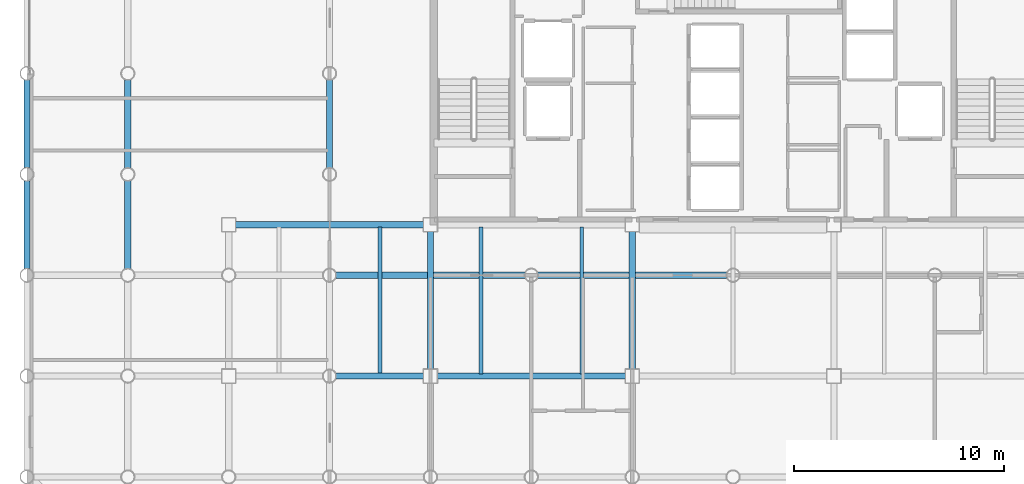
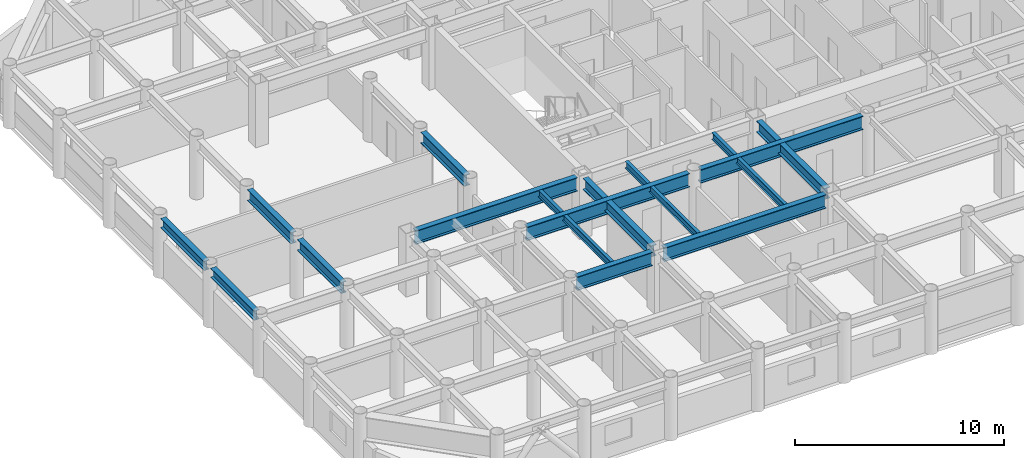
# One storey, part 3 of 20: 15 beams.
"""IFC4 building model written with IfcOpenShell, lengths in metres."""

from ifc_helpers import new_model, si_unit, direction, frame, origin, origin_2d, place, context, subcontext, project, spatial, i_section, extrude, material, material_profile, profile_set, type_object, element, save


model = new_model("IFC4")

# Units and contexts
model_context = context("Model", 3, precision=1e-05, world=origin(), true_north=direction((0.0, 1.0)))
body_context = subcontext(model_context, "Body", "Model", "MODEL_VIEW")
ifc_project = project(units=[si_unit("LENGTHUNIT", "METRE"), si_unit("AREAUNIT", "SQUARE_METRE"), si_unit("VOLUMEUNIT", "CUBIC_METRE"), si_unit("PLANEANGLEUNIT", "RADIAN"), si_unit("MASSUNIT", "GRAM", prefix="KILO")], contexts=[model_context])

# Site, building, storey
site_placement = place(None, origin())
site = spatial("IfcSite", under=ifc_project, at=site_placement, CompositionType="ELEMENT")
building_placement = place(site_placement, origin())
building = spatial("IfcBuilding", under=site, at=building_placement, Name="Kallvorn Hotel Tower", CompositionType="ELEMENT")
storey_placement = place(building_placement, frame((0.0, 0.0, 172.89990234375)))
storey = spatial("IfcBuildingStorey", under=building, at=storey_placement, Name="L43", CompositionType="ELEMENT", Elevation=172.89990234375)

# Beams
ifc_material_1 = material(Name="Structural steel S355JR", Category="steel")
ifc_material_profile_1 = material_profile(ifc_material_1, i_section(OverallWidth=0.300048828125, OverallDepth=0.550048828125, WebThickness=0.014892578125, FlangeThickness=0.029052734375, at=origin_2d()), Name="HE 550 B")
ifc_profile_set_1 = profile_set([ifc_material_profile_1], Name="Structural steel S355JR")
beam_type_1 = type_object("IfcBeamType", Name="BM_HE550B", PredefinedType="SPANDREL", material=ifc_profile_set_1)
for number, where, z_axis, x_axis, name in (
    (1, (-33.60009765625, -9.280029296875, 3.2451171875), (0.0, 1.0, 0.0), (-1.0, 0.0, 0.0), "L44 Perimeter Spandrel 176"),
    (2, (-33.60009765625, -4.47998046875, 3.2451171875), (0.0, 1.0, 0.0), (-1.0, 0.0, 0.0), "L44 Perimeter Spandrel 177"),
):
    element("IfcBeam", number, at=place(storey_placement, frame(where, z_axis=z_axis, x_axis=x_axis)), inside=storey, type_object=beam_type_1, Name=name, PredefinedType="SPANDREL", context=body_context, shape_type="SweptSolid", body=[
        extrude(i_section(OverallWidth=0.300048828125, OverallDepth=0.550048828125, WebThickness=0.014892578125, FlangeThickness=0.029052734375, at=origin_2d()), origin(), (0.0, 0.0, 1.0), 4.159912109375),
    ])
ifc_material_2 = material(Name="Structural steel S355JR", Category="steel")
ifc_material_profile_2 = material_profile(ifc_material_2, i_section(OverallWidth=0.300048828125, OverallDepth=0.64990234375, WebThickness=0.01611328125, FlangeThickness=0.031005859375, at=origin_2d()), Name="HE 650 B")
ifc_profile_set_2 = profile_set([ifc_material_profile_2], Name="Structural steel S355JR")
beam_type_2 = type_object("IfcBeamType", Name="BM_HE650B", PredefinedType="BEAM", material=ifc_profile_set_2)
beam_1_placement = place(storey_placement, frame((-28.800048828125, -9.294921875, 3.195068359375), z_axis=(0.0, 1.0, 0.0), x_axis=(-1.0, 0.0, 0.0)))
element("IfcBeam", 3, at=beam_1_placement, inside=storey, type_object=beam_type_2, Name="L44 Primary Y-Girder 76", PredefinedType="BEAM", context=body_context, shape_type="SweptSolid", body=[
    extrude(i_section(OverallWidth=0.300048828125, OverallDepth=0.64990234375, WebThickness=0.01611328125, FlangeThickness=0.031005859375, at=origin_2d()), origin(), (0.0, 0.0, 1.0), 4.18994140625),
])
for number, where, z_axis, x_axis, name in (
    (4, (-28.800048828125, -4.4951171875, 3.195068359375), (0.0, 1.0, 0.0), (-1.0, 0.0, 0.0), "L44 Primary Y-Girder 77"),
    (5, (-19.199951171875, -4.4951171875, 3.195068359375), (0.0, 1.0, 0.0), (-1.0, 0.0, 0.0), "L44 Primary Y-Girder 93"),
):
    element("IfcBeam", number, at=place(storey_placement, frame(where, z_axis=z_axis, x_axis=x_axis)), inside=storey, type_object=beam_type_2, Name=name, PredefinedType="BEAM", context=body_context, shape_type="SweptSolid", body=[
        extrude(i_section(OverallWidth=0.300048828125, OverallDepth=0.64990234375, WebThickness=0.01611328125, FlangeThickness=0.031005859375, at=origin_2d()), origin(), (0.0, 0.0, 1.0), 4.190185546875),
    ])
for number, where, z_axis, x_axis, name in (
    (6, (-14.39990234375, -14.074951171875, 3.195068359375), (0.0, 1.0, 0.0), (-1.0, 0.0, 0.0), "L44 Primary Y-Girder 100"),
    (7, (-4.800048828125, -14.074951171875, 3.195068359375), (0.0, 1.0, 0.0), (-1.0, 0.0, 0.0), "L44 Primary Y-Girder 108"),
):
    element("IfcBeam", number, at=place(storey_placement, frame(where, z_axis=z_axis, x_axis=x_axis)), inside=storey, type_object=beam_type_2, Name=name, PredefinedType="BEAM", context=body_context, shape_type="SweptSolid", body=[
        extrude(i_section(OverallWidth=0.300048828125, OverallDepth=0.64990234375, WebThickness=0.01611328125, FlangeThickness=0.031005859375, at=origin_2d()), origin(), (0.0, 0.0, 1.0), 6.550048828125),
    ])
ifc_material_3 = material(Name="Structural steel S355JR", Category="steel")
ifc_material_profile_3 = material_profile(ifc_material_3, i_section(OverallWidth=0.300048828125, OverallDepth=0.800048828125, WebThickness=0.017578125, FlangeThickness=0.032958984375, at=origin_2d()), Name="HE 800 B")
ifc_profile_set_3 = profile_set([ifc_material_profile_3], Name="Structural steel S355JR")
beam_type_3 = type_object("IfcBeamType", Name="BM_HE800B", PredefinedType="BEAM", material=ifc_profile_set_3)
beam_2_placement = place(storey_placement, frame((-18.89501953125, -14.39990234375, 3.1201171875), z_axis=(1.0, 0.0, 0.0), x_axis=(0.0, 1.0, 0.0)))
element("IfcBeam", 8, at=beam_2_placement, inside=storey, type_object=beam_type_3, Name="L44 Primary X-Girder 17", PredefinedType="BEAM", context=body_context, shape_type="SweptSolid", body=[
    extrude(i_section(OverallWidth=0.300048828125, OverallDepth=0.800048828125, WebThickness=0.017578125, FlangeThickness=0.032958984375, at=origin_2d()), origin(), (0.0, 0.0, 1.0), 4.169921875),
])
beam_3_placement = place(storey_placement, frame((-14.074951171875, -14.39990234375, 3.1201171875), z_axis=(1.0, 0.0, 0.0), x_axis=(0.0, 1.0, 0.0)))
element("IfcBeam", 9, at=beam_3_placement, inside=storey, type_object=beam_type_3, Name="L44 Primary X-Girder 18", PredefinedType="BEAM", context=body_context, shape_type="SweptSolid", body=[
    extrude(i_section(OverallWidth=0.300048828125, OverallDepth=0.800048828125, WebThickness=0.017578125, FlangeThickness=0.032958984375, at=origin_2d()), origin(), (0.0, 0.0, 1.0), 8.949951171875),
])
for number, where, z_axis, x_axis, name in (
    (10, (-18.89501953125, -9.60009765625, 3.1201171875), (1.0, 0.0, 0.0), (0.0, 1.0, 0.0), "L44 Primary X-Girder 27"),
    (11, (-9.294921875, -9.60009765625, 3.1201171875), (1.0, 0.0, 0.0), (0.0, 1.0, 0.0), "L44 Primary X-Girder 28"),
):
    element("IfcBeam", number, at=place(storey_placement, frame(where, z_axis=z_axis, x_axis=x_axis)), inside=storey, type_object=beam_type_3, Name=name, PredefinedType="BEAM", context=body_context, shape_type="SweptSolid", body=[
        extrude(i_section(OverallWidth=0.300048828125, OverallDepth=0.800048828125, WebThickness=0.017578125, FlangeThickness=0.032958984375, at=origin_2d()), origin(), (0.0, 0.0, 1.0), 8.989990234375),
    ])
beam_4_placement = place(storey_placement, frame((-23.675048828125, -7.199951171875, 3.1201171875), z_axis=(1.0, 0.0, 0.0), x_axis=(0.0, 1.0, 0.0)))
element("IfcBeam", 12, at=beam_4_placement, inside=storey, type_object=beam_type_3, Name="L44 Primary X-Girder 33", PredefinedType="BEAM", context=body_context, shape_type="SweptSolid", body=[
    extrude(i_section(OverallWidth=0.300048828125, OverallDepth=0.800048828125, WebThickness=0.017578125, FlangeThickness=0.032958984375, at=origin_2d()), origin(), (0.0, 0.0, 1.0), 8.949951171875),
])
ifc_material_4 = material(Name="Structural steel S355JR", Category="steel")
ifc_material_profile_4 = material_profile(ifc_material_4, i_section(OverallWidth=0.179931640625, OverallDepth=0.39990234375, WebThickness=0.008544921875, FlangeThickness=0.013427734375, at=origin_2d()), Name="IPE 400")
ifc_profile_set_4 = profile_set([ifc_material_profile_4], Name="Structural steel S355JR")
beam_type_4 = type_object("IfcBeamType", Name="BM_IPE400", PredefinedType="JOIST", material=ifc_profile_set_4)
for number, where, z_axis, x_axis, name in (
    (13, (-16.800048828125, -14.300048828125, 3.320068359375), (0.0, 1.0, 0.0), (-1.0, 0.0, 0.0), "L44 Secondary Composite Joist 194"),
    (14, (-12.0, -14.300048828125, 3.320068359375), (0.0, 1.0, 0.0), (-1.0, 0.0, 0.0), "L44 Secondary Composite Joist 196"),
    (15, (-7.199951171875, -14.300048828125, 3.320068359375), (0.0, 1.0, 0.0), (-1.0, 0.0, 0.0), "L44 Secondary Composite Joist 198"),
):
    element("IfcBeam", number, at=place(storey_placement, frame(where, z_axis=z_axis, x_axis=x_axis)), inside=storey, type_object=beam_type_4, Name=name, PredefinedType="JOIST", context=body_context, shape_type="SweptSolid", body=[
        extrude(i_section(OverallWidth=0.179931640625, OverallDepth=0.39990234375, WebThickness=0.008544921875, FlangeThickness=0.013427734375, at=origin_2d()), origin(), (0.0, 0.0, 1.0), 7.0),
    ])

save(model, "model.ifc")
